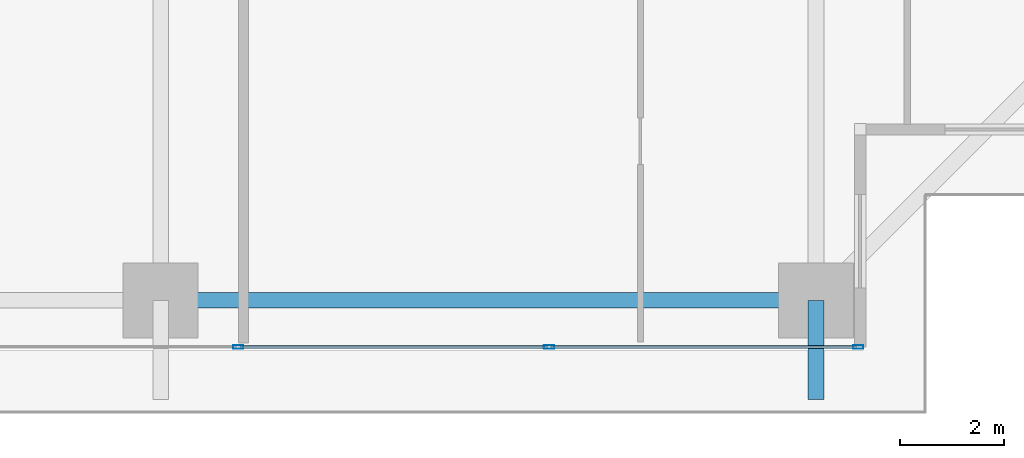
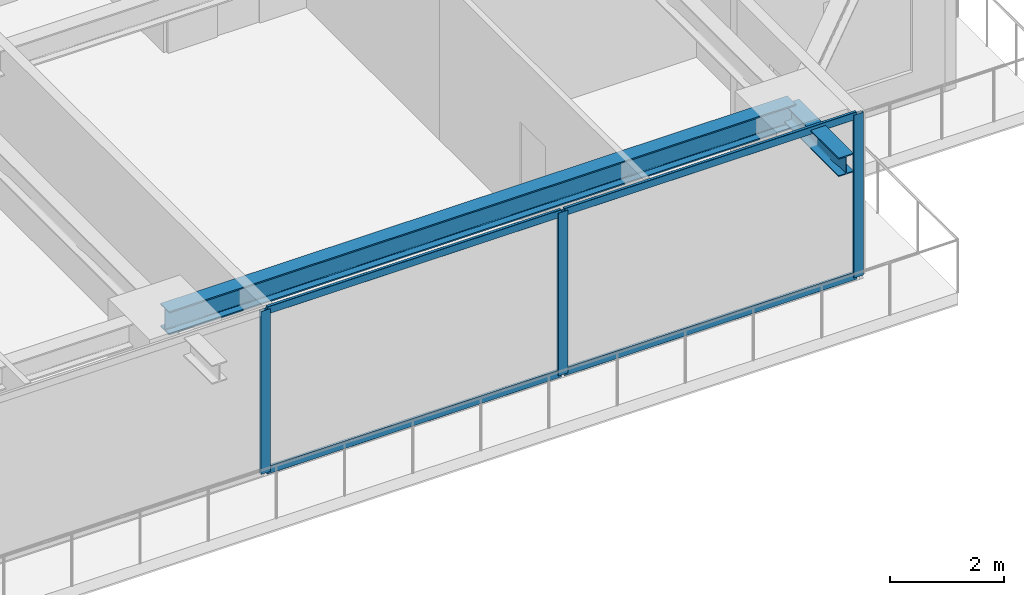
# One storey, part 10 of 38: 7 members, 2 beams, 1 element without a shape of its own.
"""IFC4 building model written with IfcOpenShell, lengths in metres."""

from ifc_helpers import new_model, si_unit, direction, frame, origin, origin_2d, place, context, subcontext, project, spatial, hollow_rectangle, i_section, extrude, source, transform, mapped, material, layer, layer_set, material_profile, profile_set, type_object, element, aggregate, save


model = new_model("IFC4")

# Units and contexts
model_context = context("Model", 3, precision=1e-05, world=origin(), true_north=direction((0.0, 1.0)))
body_context = subcontext(model_context, "Body", "Model", "MODEL_VIEW")
ifc_project = project(units=[si_unit("LENGTHUNIT", "METRE"), si_unit("AREAUNIT", "SQUARE_METRE"), si_unit("VOLUMEUNIT", "CUBIC_METRE"), si_unit("PLANEANGLEUNIT", "RADIAN"), si_unit("MASSUNIT", "GRAM", prefix="KILO")], contexts=[model_context])

# Site, building, storey
site_placement = place(None, origin())
site = spatial("IfcSite", under=ifc_project, at=site_placement, CompositionType="ELEMENT")
building_placement = place(site_placement, origin())
building = spatial("IfcBuilding", under=site, at=building_placement, Name="Serunith Strait Residences", CompositionType="ELEMENT")
storey_placement = place(building_placement, frame((0.0, 0.0, 52.949951171875)))
storey = spatial("IfcBuildingStorey", under=building, at=storey_placement, Name="L12", CompositionType="ELEMENT", Elevation=52.949951171875)

# Beams
ifc_material_1 = material(Name="Steel S355J2", Category="steel")
ifc_material_profile_1 = material_profile(ifc_material_1, i_section(OverallWidth=0.300048828125, OverallDepth=0.5, WebThickness=0.014404296875, FlangeThickness=0.028076171875, FilletRadius=0.027099609375, at=origin_2d()), Name="HEB 500")
ifc_profile_set_1 = profile_set([ifc_material_profile_1], Name="Steel S355J2")
beam_type_1 = type_object("IfcBeamType", Name="BM-HEB500", PredefinedType="BEAM", material=ifc_profile_set_1)
shared_shape_1 = source(origin(), body_context, "Body", "SweptSolid", [
    extrude(i_section(OverallWidth=0.300048828125, OverallDepth=0.5, WebThickness=0.014404296875, FlangeThickness=0.028076171875, FilletRadius=0.027099609375, at=origin_2d()), origin(), (0.0, 0.0, 1.0), 12.650146484375),
])
beam_1_placement = place(storey_placement, frame((36.89990234375, 1.10009765625, 3.237060546875), z_axis=(1.0, 0.0, 0.0), x_axis=(0.0, 1.0, 0.0)))
element("IfcBeam", 1, at=beam_1_placement, inside=storey, type_object=beam_type_1, Name="L12 Perimeter Ring Beam 03", PredefinedType="BEAM", context=body_context, shape_type="MappedRepresentation", body=[
    mapped(shared_shape_1, transform((0.0, 0.0, 0.0), scale=1.0)),
])
ifc_material_profile_2 = material_profile(ifc_material_1, i_section(OverallWidth=0.300048828125, OverallDepth=0.39990234375, WebThickness=0.013427734375, FlangeThickness=0.02392578125, FilletRadius=0.027099609375, at=origin_2d()), Name="HEB 400")
ifc_profile_set_2 = profile_set([ifc_material_profile_2], Name="Steel S355J2")
beam_type_2 = type_object("IfcBeamType", Name="BM-HEB400", PredefinedType="BEAM", material=ifc_profile_set_2)
shared_shape_2 = source(origin(), body_context, "Body", "SweptSolid", [
    extrude(i_section(OverallWidth=0.300048828125, OverallDepth=0.39990234375, WebThickness=0.013427734375, FlangeThickness=0.02392578125, FilletRadius=0.027099609375, at=origin_2d()), origin(), (0.0, 0.0, 1.0), 1.91015625),
])
beam_2_placement = place(storey_placement, frame((49.550048828125, 1.10009765625, 3.257080078125), z_axis=(0.0, -1.0, 0.0), x_axis=(1.0, 0.0, 0.0)))
element("IfcBeam", 2, at=beam_2_placement, inside=storey, type_object=beam_type_2, Name="L13 Cantilevered Balcony Rib TC-S4", PredefinedType="BEAM", context=body_context, shape_type="MappedRepresentation", body=[
    mapped(shared_shape_2, transform((0.0, 0.0, 0.0), scale=1.0)),
])

# Curtain wall, members
ifc_material_2 = material(Name="Pale-Champagne Anodised Aluminium", Category="aluminium")
ifc_layer = layer(ifc_material_2, 0.199951171875, Name="Pale-Champagne Anodised Aluminium")
ifc_layer_set = layer_set([ifc_layer], Name="Pale-Champagne Anodised Aluminium")
curtain_wall_type = type_object("IfcCurtainWallType", Name="CW-SYS1", PredefinedType="NOTDEFINED", material=ifc_layer_set)
curtain_wall_placement = place(storey_placement, origin())
curtain_wall = element("IfcCurtainWall", 3, at=curtain_wall_placement, inside=storey, type_object=curtain_wall_type, Name="L12 S Unitised Fritted Curtain Wall", PredefinedType="NOTDEFINED")
ifc_material_profile_3 = material_profile(ifc_material_2, hollow_rectangle(XDim=0.070068359375, YDim=0.199951171875, WallThickness=0.00390625, InnerFilletRadius=0.006103515625, OuterFilletRadius=0.010009765625, at=origin_2d()), Name="ALU 200x70x4")
ifc_profile_set_3 = profile_set([ifc_material_profile_3], Name="Pale-Champagne Anodised Aluminium")
member_type_1 = type_object("IfcMemberType", Name="CW-SYS1-MULL", PredefinedType="MULLION", material=ifc_profile_set_3)
shared_shape_3 = source(origin(), body_context, "Body", "SweptSolid", [
    extrude(hollow_rectangle(XDim=0.070068359375, YDim=0.199951171875, WallThickness=0.00390625, InnerFilletRadius=0.006103515625, OuterFilletRadius=0.010009765625, at=origin_2d()), origin(), (0.0, 0.0, 1.0), 3.47509765625),
])
member_1_placement = place(storey_placement, frame((38.39990234375, 0.199951171875, 0.0), z_axis=(0.0, 0.0, 1.0), x_axis=(0.0, 1.0, 0.0)))
member_1 = element("IfcMember", 4, at=member_1_placement, type_object=member_type_1, Name="CW-1 mullion 5", PredefinedType="MULLION", context=body_context, shape_type="MappedRepresentation", body=[
    mapped(shared_shape_3, transform((0.0, 0.0, 0.0), scale=1.0)),
])
member_2_placement = place(storey_placement, frame((44.39990234375, 0.199951171875, 0.0), z_axis=(0.0, 0.0, 1.0), x_axis=(0.0, 1.0, 0.0)))
member_2 = element("IfcMember", 5, at=member_2_placement, type_object=member_type_1, Name="CW-1 mullion 6", PredefinedType="MULLION", context=body_context, shape_type="MappedRepresentation", body=[
    mapped(shared_shape_3, transform((0.0, 0.0, 0.0), scale=1.0)),
])
member_3_placement = place(storey_placement, frame((50.364990234375, 0.199951171875, 0.0), z_axis=(0.0, 0.0, 1.0), x_axis=(0.0, 1.0, 0.0)))
member_3 = element("IfcMember", 6, at=member_3_placement, type_object=member_type_1, Name="CW-1 mullion 7", PredefinedType="MULLION", context=body_context, shape_type="MappedRepresentation", body=[
    mapped(shared_shape_3, transform((0.0, 0.0, 0.0), scale=1.0)),
])
ifc_material_profile_4 = material_profile(ifc_material_2, hollow_rectangle(XDim=0.06005859375, YDim=0.159912109375, WallThickness=0.00341796875, InnerFilletRadius=0.00537109375, OuterFilletRadius=0.0087890625, at=origin_2d()), Name="ALU 160x60x3.5")
ifc_profile_set_4 = profile_set([ifc_material_profile_4], Name="Pale-Champagne Anodised Aluminium")
member_type_2 = type_object("IfcMemberType", Name="CW-SYS1-TRAN", PredefinedType="USERDEFINED", material=ifc_profile_set_4)
shared_shape_4 = source(origin(), body_context, "Body", "SweptSolid", [
    extrude(hollow_rectangle(XDim=0.06005859375, YDim=0.159912109375, WallThickness=0.00341796875, InnerFilletRadius=0.00537109375, OuterFilletRadius=0.0087890625, at=origin_2d()), origin(), (0.0, 0.0, 1.0), 5.89501953125),
])
member_4_placement = place(storey_placement, frame((44.43505859375, 0.199951171875, 0.030029296875), z_axis=(1.0, 0.0, 0.0), x_axis=(0.0, 1.0, 0.0)))
member_4 = element("IfcMember", 7, at=member_4_placement, type_object=member_type_2, Name="CW-1 transom 6.1", ObjectType="TRANSOM", PredefinedType="USERDEFINED", context=body_context, shape_type="MappedRepresentation", body=[
    mapped(shared_shape_4, transform((0.0, 0.0, 0.0), scale=1.0)),
])
member_5_placement = place(storey_placement, frame((44.43505859375, 0.199951171875, 3.445068359375), z_axis=(1.0, 0.0, 0.0), x_axis=(0.0, 1.0, 0.0)))
member_5 = element("IfcMember", 8, at=member_5_placement, type_object=member_type_2, Name="CW-1 transom 6.2", ObjectType="TRANSOM", PredefinedType="USERDEFINED", context=body_context, shape_type="MappedRepresentation", body=[
    mapped(shared_shape_4, transform((0.0, 0.0, 0.0), scale=1.0)),
])
shared_shape_5 = source(origin(), body_context, "Body", "SweptSolid", [
    extrude(hollow_rectangle(XDim=0.06005859375, YDim=0.159912109375, WallThickness=0.00341796875, InnerFilletRadius=0.00537109375, OuterFilletRadius=0.0087890625, at=origin_2d()), origin(), (0.0, 0.0, 1.0), 5.929931640625),
])
member_6_placement = place(storey_placement, frame((38.43505859375, 0.199951171875, 0.030029296875), z_axis=(1.0, 0.0, 0.0), x_axis=(0.0, 1.0, 0.0)))
member_6 = element("IfcMember", 9, at=member_6_placement, type_object=member_type_2, Name="CW-1 transom 5.1", ObjectType="TRANSOM", PredefinedType="USERDEFINED", context=body_context, shape_type="MappedRepresentation", body=[
    mapped(shared_shape_5, transform((0.0, 0.0, 0.0), scale=1.0)),
])
member_7_placement = place(storey_placement, frame((38.43505859375, 0.199951171875, 3.445068359375), z_axis=(1.0, 0.0, 0.0), x_axis=(0.0, 1.0, 0.0)))
member_7 = element("IfcMember", 10, at=member_7_placement, type_object=member_type_2, Name="CW-1 transom 5.2", ObjectType="TRANSOM", PredefinedType="USERDEFINED", context=body_context, shape_type="MappedRepresentation", body=[
    mapped(shared_shape_5, transform((0.0, 0.0, 0.0), scale=1.0)),
])
aggregate(curtain_wall, [member_1, member_2, member_3, member_6, member_7, member_4, member_5])

save(model, "model.ifc")
